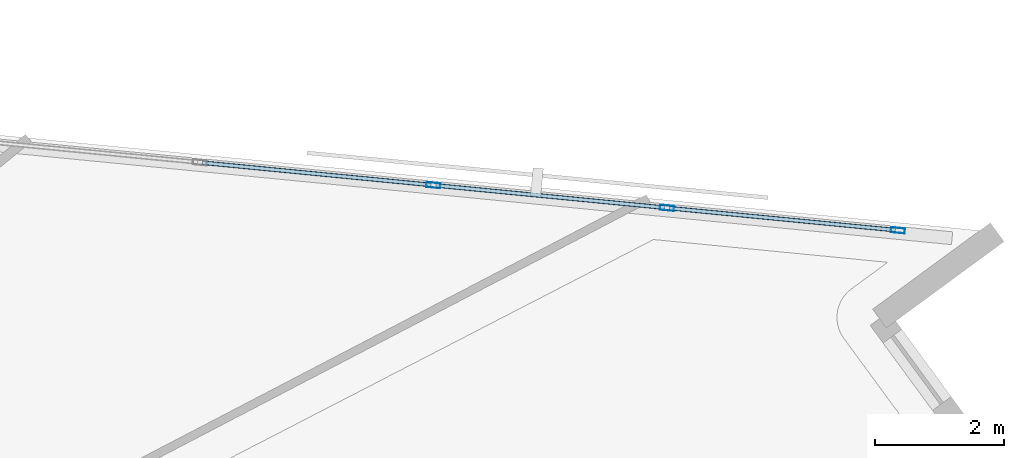
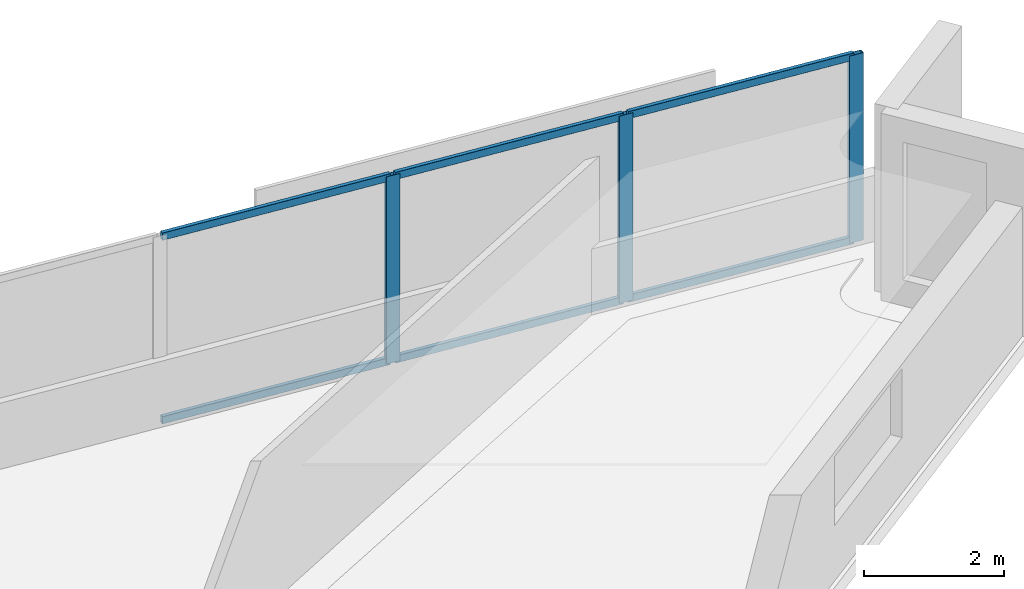
# One storey, part 6 of 13: 9 members, 1 element without a shape of its own.
"""IFC4 building model written with IfcOpenShell, lengths in metres."""

from ifc_helpers import new_model, si_unit, direction, frame, origin, origin_2d, place, context, subcontext, project, spatial, hollow_rectangle, extrude, material, material_profile, profile_set, type_object, element, aggregate, save


model = new_model("IFC4")

# Units and contexts
model_context = context("Model", 3, precision=1e-05, world=origin(), true_north=direction((0.0, 1.0)))
body_context = subcontext(model_context, "Body", "Model", "MODEL_VIEW")
ifc_project = project(units=[si_unit("LENGTHUNIT", "METRE"), si_unit("AREAUNIT", "SQUARE_METRE"), si_unit("VOLUMEUNIT", "CUBIC_METRE"), si_unit("PLANEANGLEUNIT", "RADIAN"), si_unit("MASSUNIT", "GRAM", prefix="KILO")], contexts=[model_context])

# Site, building, storey
site_placement = place(None, origin())
site = spatial("IfcSite", under=ifc_project, at=site_placement, CompositionType="ELEMENT")
building_placement = place(site_placement, origin())
building = spatial("IfcBuilding", under=site, at=building_placement, Name="Narakoshi Arena Tower", CompositionType="ELEMENT")
storey_placement = place(building_placement, frame((0.0, 0.0, 246.659912109375)))
storey = spatial("IfcBuildingStorey", under=building, at=storey_placement, Name="L67", CompositionType="ELEMENT", Elevation=246.659912109375)

# Curtain wall, members
ifc_material = material(Name="Anodised bronze aluminium 6063-T6", Category="aluminium")
curtain_wall_type = type_object("IfcCurtainWallType", Name="CW-HYP-HIGH", PredefinedType="NOTDEFINED", material=ifc_material)
curtain_wall_placement = place(storey_placement, origin())
curtain_wall = element("IfcCurtainWall", 1, at=curtain_wall_placement, inside=storey, type_object=curtain_wall_type, Name="L67 Folded Hypotenuse Curtain Wall 1-1", PredefinedType="NOTDEFINED")
ifc_material_profile_1 = material_profile(ifc_material, hollow_rectangle(XDim=0.080078125, YDim=0.219970703125, WallThickness=0.0048828125, OuterFilletRadius=0.006103515625, at=origin_2d()), Name="MUL220x80x5")
ifc_profile_set_1 = profile_set([ifc_material_profile_1], Name="Anodised bronze aluminium 6063-T6")
member_type_1 = type_object("IfcMemberType", Name="MEM-MUL-220", PredefinedType="MULLION", material=ifc_profile_set_1)
member_1_placement = place(storey_placement, frame((112.25048828125, 60.418701171875, 0.0), z_axis=(0.0, 0.0, 1.0), x_axis=(-0.096851320996, -0.995298860454, 0.0)))
member_1 = element("IfcMember", 2, at=member_1_placement, type_object=member_type_1, Name="CW-03 mullion 1", PredefinedType="MULLION", context=body_context, shape_type="SweptSolid", body=[
    extrude(hollow_rectangle(XDim=0.080078125, YDim=0.219970703125, WallThickness=0.0048828125, OuterFilletRadius=0.006103515625, at=origin_2d()), origin(), (0.0, 0.0, 1.0), 3.260009765625),
])
member_2_placement = place(storey_placement, frame((108.65869140625, 60.768310546875, 0.0), z_axis=(0.0, 0.0, 1.0), x_axis=(-0.096851320996, -0.995298860454, 0.0)))
member_2 = element("IfcMember", 3, at=member_2_placement, type_object=member_type_1, Name="CW-03 mullion 2", PredefinedType="MULLION", context=body_context, shape_type="SweptSolid", body=[
    extrude(hollow_rectangle(XDim=0.080078125, YDim=0.219970703125, WallThickness=0.0048828125, OuterFilletRadius=0.006103515625, at=origin_2d()), origin(), (0.0, 0.0, 1.0), 3.260009765625),
])
member_3_placement = place(storey_placement, frame((105.027099609375, 61.12158203125, 0.0), z_axis=(0.0, 0.0, 1.0), x_axis=(-0.096851320996, -0.995298860454, 0.0)))
member_3 = element("IfcMember", 4, at=member_3_placement, type_object=member_type_1, Name="CW-03 mullion 3", PredefinedType="MULLION", context=body_context, shape_type="SweptSolid", body=[
    extrude(hollow_rectangle(XDim=0.080078125, YDim=0.219970703125, WallThickness=0.0048828125, OuterFilletRadius=0.006103515625, at=origin_2d()), origin(), (0.0, 0.0, 1.0), 3.260009765625),
])
ifc_material_profile_2 = material_profile(ifc_material, hollow_rectangle(XDim=0.06494140625, YDim=0.1298828125, WallThickness=0.00390625, OuterFilletRadius=0.0048828125, at=origin_2d()), Name="TRN130x65x4")
ifc_profile_set_2 = profile_set([ifc_material_profile_2], Name="Anodised bronze aluminium 6063-T6")
member_type_2 = type_object("IfcMemberType", Name="MEM-TRN-130", PredefinedType="USERDEFINED", material=ifc_profile_set_2)
member_4_placement = place(storey_placement, frame((112.210693359375, 60.422607421875, 0.032470703125), z_axis=(-0.995298087829, 0.096859260598, 0.0), x_axis=(-0.096859260598, -0.995298087829, 0.0)))
member_4 = element("IfcMember", 5, at=member_4_placement, type_object=member_type_2, Name="CW-03 transom 1.1", ObjectType="TRANSOM", PredefinedType="USERDEFINED", context=body_context, shape_type="SweptSolid", body=[
    extrude(hollow_rectangle(XDim=0.06494140625, YDim=0.1298828125, WallThickness=0.00390625, OuterFilletRadius=0.0048828125, at=origin_2d()), origin(), (0.0, 0.0, 1.0), 3.52880859375),
])
member_5_placement = place(storey_placement, frame((112.210693359375, 60.422607421875, 3.2275390625), z_axis=(-0.995298087829, 0.096859260598, 0.0), x_axis=(-0.096859260598, -0.995298087829, 0.0)))
member_5 = element("IfcMember", 6, at=member_5_placement, type_object=member_type_2, Name="CW-03 transom 1.2", ObjectType="TRANSOM", PredefinedType="USERDEFINED", context=body_context, shape_type="SweptSolid", body=[
    extrude(hollow_rectangle(XDim=0.06494140625, YDim=0.1298828125, WallThickness=0.00390625, OuterFilletRadius=0.0048828125, at=origin_2d()), origin(), (0.0, 0.0, 1.0), 3.52880859375),
])
member_6_placement = place(storey_placement, frame((108.618896484375, 60.772216796875, 0.032470703125), z_axis=(-0.995303775278, 0.096800800194, 0.0), x_axis=(-0.096800800194, -0.995303775278, 0.0)))
member_6 = element("IfcMember", 7, at=member_6_placement, type_object=member_type_2, Name="CW-03 transom 2.1", ObjectType="TRANSOM", PredefinedType="USERDEFINED", context=body_context, shape_type="SweptSolid", body=[
    extrude(hollow_rectangle(XDim=0.06494140625, YDim=0.1298828125, WallThickness=0.00390625, OuterFilletRadius=0.0048828125, at=origin_2d()), origin(), (0.0, 0.0, 1.0), 3.56884765625),
])
member_7_placement = place(storey_placement, frame((108.618896484375, 60.772216796875, 3.2275390625), z_axis=(-0.995303775278, 0.096800800194, 0.0), x_axis=(-0.096800800194, -0.995303775278, 0.0)))
member_7 = element("IfcMember", 8, at=member_7_placement, type_object=member_type_2, Name="CW-03 transom 2.2", ObjectType="TRANSOM", PredefinedType="USERDEFINED", context=body_context, shape_type="SweptSolid", body=[
    extrude(hollow_rectangle(XDim=0.06494140625, YDim=0.1298828125, WallThickness=0.00390625, OuterFilletRadius=0.0048828125, at=origin_2d()), origin(), (0.0, 0.0, 1.0), 3.56884765625),
])
member_8_placement = place(storey_placement, frame((104.9873046875, 61.12548828125, 0.032470703125), z_axis=(-0.995297181926, 0.096868568947, 0.0), x_axis=(-0.096868568947, -0.995297181926, 0.0)))
member_8 = element("IfcMember", 9, at=member_8_placement, type_object=member_type_2, Name="CW-03 transom 3.1", ObjectType="TRANSOM", PredefinedType="USERDEFINED", context=body_context, shape_type="SweptSolid", body=[
    extrude(hollow_rectangle(XDim=0.06494140625, YDim=0.1298828125, WallThickness=0.00390625, OuterFilletRadius=0.0048828125, at=origin_2d()), origin(), (0.0, 0.0, 1.0), 3.56884765625),
])
member_9_placement = place(storey_placement, frame((104.9873046875, 61.12548828125, 3.2275390625), z_axis=(-0.995297181926, 0.096868568947, 0.0), x_axis=(-0.096868568947, -0.995297181926, 0.0)))
member_9 = element("IfcMember", 10, at=member_9_placement, type_object=member_type_2, Name="CW-03 transom 3.2", ObjectType="TRANSOM", PredefinedType="USERDEFINED", context=body_context, shape_type="SweptSolid", body=[
    extrude(hollow_rectangle(XDim=0.06494140625, YDim=0.1298828125, WallThickness=0.00390625, OuterFilletRadius=0.0048828125, at=origin_2d()), origin(), (0.0, 0.0, 1.0), 3.56884765625),
])
aggregate(curtain_wall, [member_1, member_2, member_3, member_4, member_5, member_6, member_7, member_8, member_9])

save(model, "model.ifc")
